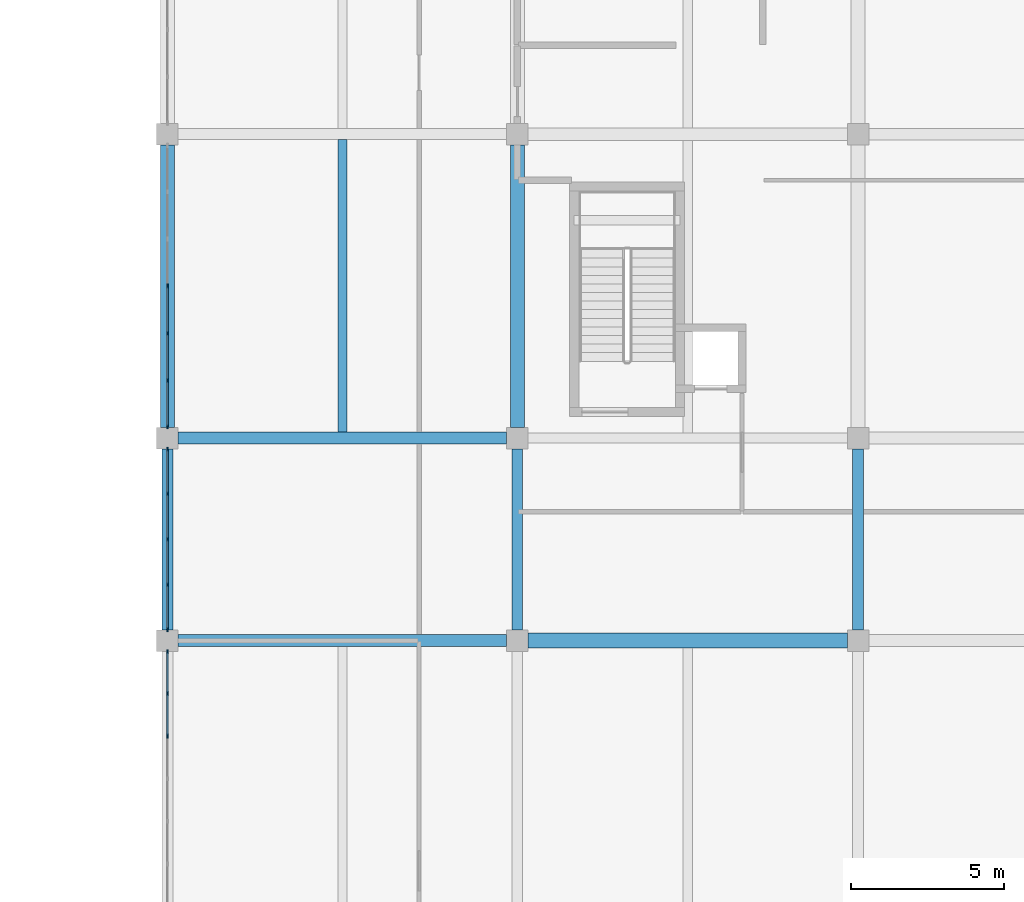
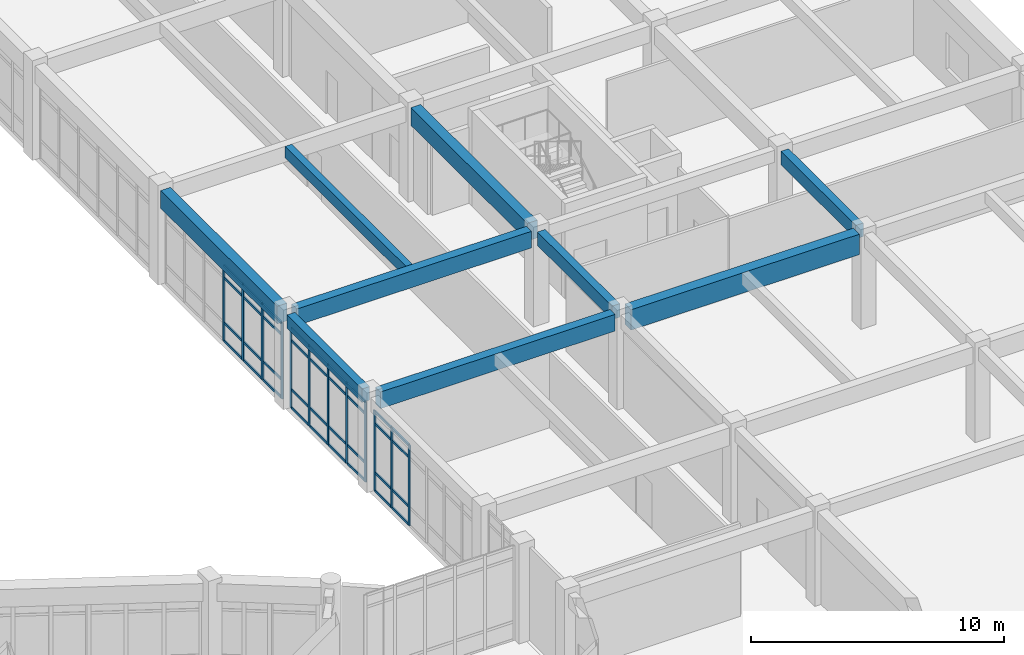
# One storey, part 27 of 65: 48 members, 9 beams, 3 elements without a shape of their own.
"""IFC4 building model written with IfcOpenShell, lengths in metres."""

from ifc_helpers import new_model, si_unit, direction, frame, origin, origin_2d, place, context, subcontext, project, spatial, rectangle, extrude, material, layer, layer_set, material_profile, profile_set, type_object, element, aggregate, save


model = new_model("IFC4")

# Units and contexts
model_context = context("Model", 3, precision=1e-05, world=origin(), true_north=direction((0.0, 1.0)))
body_context = subcontext(model_context, "Body", "Model", "MODEL_VIEW")
ifc_project = project(units=[si_unit("LENGTHUNIT", "METRE"), si_unit("AREAUNIT", "SQUARE_METRE"), si_unit("VOLUMEUNIT", "CUBIC_METRE"), si_unit("PLANEANGLEUNIT", "RADIAN"), si_unit("MASSUNIT", "GRAM", prefix="KILO")], contexts=[model_context])

# Site, building, storey
site_placement = place(None, origin())
site = spatial("IfcSite", under=ifc_project, at=site_placement, CompositionType="ELEMENT")
building_placement = place(site_placement, origin())
building = spatial("IfcBuilding", under=site, at=building_placement, Name="Miralva Faculty of Natural Sciences", CompositionType="ELEMENT")
storey_placement = place(building_placement, frame((0.0, 0.0, 10.199951171875)))
storey = spatial("IfcBuildingStorey", under=building, at=storey_placement, Name="L02", CompositionType="ELEMENT", Elevation=10.199951171875)

# Beams
ifc_material_1 = material(Name="Concrete C40/50", Category="concrete")
ifc_material_profile_1 = material_profile(ifc_material_1, rectangle(XDim=0.449951171875, YDim=0.85009765625, at=origin_2d()), Name="RC 450x850")
ifc_profile_set_1 = profile_set([ifc_material_profile_1], Name="Concrete C40/50")
beam_type_1 = type_object("IfcBeamType", Name="BM-B01", PredefinedType="BEAM", material=ifc_profile_set_1)
for number, where, z_axis, x_axis, name in (
    (1, (133.800048828125, 45.949951171875, 4.094970703125), (0.0, 1.0, 0.0), (-1.0, 0.0, 0.0), "Girder NS L02-124"),
    (2, (145.199951171875, 45.949951171875, 4.094970703125), (0.0, 1.0, 0.0), (-1.0, 0.0, 0.0), "Girder NS L02-131"),
):
    element("IfcBeam", number, at=place(storey_placement, frame(where, z_axis=z_axis, x_axis=x_axis)), inside=storey, type_object=beam_type_1, Name=name, PredefinedType="BEAM", context=body_context, shape_type="SweptSolid", body=[
        extrude(rectangle(XDim=0.449951171875, YDim=0.85009765625, at=origin_2d()), origin(), (0.0, 0.0, 1.0), 9.199951171875),
    ])
ifc_material_profile_2 = material_profile(ifc_material_1, rectangle(XDim=0.39990234375, YDim=0.800048828125, at=origin_2d()), Name="RC 400x800")
ifc_profile_set_2 = profile_set([ifc_material_profile_2], Name="Concrete C40/50")
beam_type_2 = type_object("IfcBeamType", Name="BM-B02", PredefinedType="BEAM", material=ifc_profile_set_2)
for number, where, z_axis, x_axis, name in (
    (3, (134.14990234375, 39.0, 4.1201171875), (1.0, 0.0, 0.0), (0.0, 1.0, 0.0), "Girder EW L02-36"),
    (4, (134.14990234375, 45.60009765625, 4.1201171875), (1.0, 0.0, 0.0), (0.0, 1.0, 0.0), "Girder EW L02-42"),
):
    element("IfcBeam", number, at=place(storey_placement, frame(where, z_axis=z_axis, x_axis=x_axis)), inside=storey, type_object=beam_type_2, Name=name, PredefinedType="BEAM", context=body_context, shape_type="SweptSolid", body=[
        extrude(rectangle(XDim=0.39990234375, YDim=0.800048828125, at=origin_2d()), origin(), (0.0, 0.0, 1.0), 10.7001953125),
    ])
ifc_material_profile_3 = material_profile(ifc_material_1, rectangle(XDim=0.35009765625, YDim=0.64990234375, at=origin_2d()), Name="RC 350x650")
ifc_profile_set_3 = profile_set([ifc_material_profile_3], Name="Concrete C40/50")
beam_type_3 = type_object("IfcBeamType", Name="BM-B05", PredefinedType="BEAM", material=ifc_profile_set_3)
for number, where, z_axis, x_axis, name in (
    (5, (133.800048828125, 39.35009765625, 4.195068359375), (0.0, 1.0, 0.0), (-1.0, 0.0, 0.0), "Girder NS L02-123"),
    (6, (145.199951171875, 39.35009765625, 4.195068359375), (0.0, 1.0, 0.0), (-1.0, 0.0, 0.0), "Girder NS L02-130"),
    (7, (156.300048828125, 39.35009765625, 4.195068359375), (0.0, 1.0, 0.0), (-1.0, 0.0, 0.0), "Girder NS L02-137"),
):
    element("IfcBeam", number, at=place(storey_placement, frame(where, z_axis=z_axis, x_axis=x_axis)), inside=storey, type_object=beam_type_3, Name=name, PredefinedType="BEAM", context=body_context, shape_type="SweptSolid", body=[
        extrude(rectangle(XDim=0.35009765625, YDim=0.64990234375, at=origin_2d()), origin(), (0.0, 0.0, 1.0), 5.89990234375),
    ])
ifc_material_profile_4 = material_profile(ifc_material_1, rectangle(XDim=0.47998046875, YDim=0.97998046875, at=origin_2d()), Name="RC 480x980")
ifc_profile_set_4 = profile_set([ifc_material_profile_4], Name="Concrete C40/50")
beam_type_4 = type_object("IfcBeamType", Name="BM-BG18", PredefinedType="BEAM", material=ifc_profile_set_4)
beam_1_placement = place(storey_placement, frame((145.550048828125, 39.0, 4.030029296875), z_axis=(1.0, 0.0, 0.0), x_axis=(0.0, 1.0, 0.0)))
element("IfcBeam", 8, at=beam_1_placement, inside=storey, type_object=beam_type_4, Name="Girder EW L02-37", PredefinedType="BEAM", context=body_context, shape_type="SweptSolid", body=[
    extrude(rectangle(XDim=0.47998046875, YDim=0.97998046875, at=origin_2d()), origin(), (0.0, 0.0, 1.0), 10.39990234375),
])
ifc_material_profile_5 = material_profile(ifc_material_1, rectangle(XDim=0.300048828125, YDim=0.550048828125, at=origin_2d()), Name="RC 300x550")
ifc_profile_set_5 = profile_set([ifc_material_profile_5], Name="Concrete C40/50")
beam_type_5 = type_object("IfcBeamType", Name="BM-J02", PredefinedType="JOIST", material=ifc_profile_set_5)
beam_2_placement = place(storey_placement, frame((139.5, 45.800048828125, 4.2451171875), z_axis=(0.0, 1.0, 0.0), x_axis=(-1.0, 0.0, 0.0)))
element("IfcBeam", 9, at=beam_2_placement, inside=storey, type_object=beam_type_5, Name="Floor joist L02-14", PredefinedType="JOIST", context=body_context, shape_type="SweptSolid", body=[
    extrude(rectangle(XDim=0.300048828125, YDim=0.550048828125, at=origin_2d()), origin(), (0.0, 0.0, 1.0), 9.52001953125),
])

# Curtain wall, members
ifc_material_2 = material(Name="Laminated solar-control glass", Category="glass")
ifc_layer = layer(ifc_material_2, 0.179931640625, Name="CW-COM-L01")
ifc_layer_set = layer_set([ifc_layer], Name="Laminated solar-control glass")
curtain_wall_type = type_object("IfcCurtainWallType", Name="CW-COM-L01", PredefinedType="USERDEFINED", material=ifc_layer_set)
curtain_wall_1_placement = place(storey_placement, origin())
curtain_wall_1 = element("IfcCurtainWall", 10, at=curtain_wall_1_placement, inside=storey, type_object=curtain_wall_type, Name="Curtain wall CW-10 L02-270", ObjectType="UNITISED CURTAIN WALL", PredefinedType="USERDEFINED")
ifc_material_3 = material(Name="Anodised aluminium", Category="aluminium")
ifc_material_profile_6 = material_profile(ifc_material_3, rectangle(XDim=0.06005859375, YDim=0.139892578125, at=origin_2d()), Name="MULLION 60x140")
ifc_profile_set_6 = profile_set([ifc_material_profile_6], Name="Anodised aluminium")
member_type_1 = type_object("IfcMemberType", Name="CW-M03", PredefinedType="MULLION", material=ifc_profile_set_6)
member_1_placement = place(storey_placement, frame((133.800048828125, 35.888427734375, 0.0), z_axis=(0.0, 0.0, 1.0), x_axis=(-1.0, 0.0, 0.0)))
member_1 = element("IfcMember", 11, at=member_1_placement, type_object=member_type_1, Name="CW-10 mullion 5", PredefinedType="MULLION", context=body_context, shape_type="SweptSolid", body=[
    extrude(rectangle(XDim=0.06005859375, YDim=0.139892578125, at=origin_2d()), origin(), (0.0, 0.0, 1.0), 3.864990234375),
])
member_2_placement = place(storey_placement, frame((133.800048828125, 37.276611328125, 0.0), z_axis=(0.0, 0.0, 1.0), x_axis=(-1.0, 0.0, 0.0)))
member_2 = element("IfcMember", 12, at=member_2_placement, type_object=member_type_1, Name="CW-10 mullion 6", PredefinedType="MULLION", context=body_context, shape_type="SweptSolid", body=[
    extrude(rectangle(XDim=0.06005859375, YDim=0.139892578125, at=origin_2d()), origin(), (0.0, 0.0, 1.0), 3.864990234375),
])
member_3_placement = place(storey_placement, frame((133.800048828125, 38.635009765625, 0.0), z_axis=(0.0, 0.0, 1.0), x_axis=(-1.0, 0.0, 0.0)))
member_3 = element("IfcMember", 13, at=member_3_placement, type_object=member_type_1, Name="CW-10 mullion 7", PredefinedType="MULLION", context=body_context, shape_type="SweptSolid", body=[
    extrude(rectangle(XDim=0.06005859375, YDim=0.139892578125, at=origin_2d()), origin(), (0.0, 0.0, 1.0), 3.864990234375),
])

curtain_wall_2_placement = place(storey_placement, origin())
curtain_wall_2 = element("IfcCurtainWall", 14, at=curtain_wall_2_placement, inside=storey, type_object=curtain_wall_type, Name="Curtain wall CW-10 L02-271", ObjectType="UNITISED CURTAIN WALL", PredefinedType="USERDEFINED")
member_4_placement = place(storey_placement, frame((133.800048828125, 39.364990234375, 0.0), z_axis=(0.0, 0.0, 1.0), x_axis=(-1.0, 0.0, 0.0)))
member_4 = element("IfcMember", 15, at=member_4_placement, type_object=member_type_1, Name="CW-10 mullion 1", PredefinedType="MULLION", context=body_context, shape_type="SweptSolid", body=[
    extrude(rectangle(XDim=0.06005859375, YDim=0.139892578125, at=origin_2d()), origin(), (0.0, 0.0, 1.0), 3.864990234375),
])
member_5_placement = place(storey_placement, frame((133.800048828125, 40.8173828125, 0.0), z_axis=(0.0, 0.0, 1.0), x_axis=(-1.0, 0.0, 0.0)))
member_5 = element("IfcMember", 16, at=member_5_placement, type_object=member_type_1, Name="CW-10 mullion 2", PredefinedType="MULLION", context=body_context, shape_type="SweptSolid", body=[
    extrude(rectangle(XDim=0.06005859375, YDim=0.139892578125, at=origin_2d()), origin(), (0.0, 0.0, 1.0), 3.864990234375),
])
member_6_placement = place(storey_placement, frame((133.800048828125, 42.300048828125, 0.0), z_axis=(0.0, 0.0, 1.0), x_axis=(-1.0, 0.0, 0.0)))
member_6 = element("IfcMember", 17, at=member_6_placement, type_object=member_type_1, Name="CW-10 mullion 3", PredefinedType="MULLION", context=body_context, shape_type="SweptSolid", body=[
    extrude(rectangle(XDim=0.06005859375, YDim=0.139892578125, at=origin_2d()), origin(), (0.0, 0.0, 1.0), 3.864990234375),
])
member_7_placement = place(storey_placement, frame((133.800048828125, 43.782470703125, 0.0), z_axis=(0.0, 0.0, 1.0), x_axis=(-1.0, 0.0, 0.0)))
member_7 = element("IfcMember", 18, at=member_7_placement, type_object=member_type_1, Name="CW-10 mullion 4", PredefinedType="MULLION", context=body_context, shape_type="SweptSolid", body=[
    extrude(rectangle(XDim=0.06005859375, YDim=0.139892578125, at=origin_2d()), origin(), (0.0, 0.0, 1.0), 3.864990234375),
])
member_8_placement = place(storey_placement, frame((133.800048828125, 45.235107421875, 0.0), z_axis=(0.0, 0.0, 1.0), x_axis=(-1.0, 0.0, 0.0)))
member_8 = element("IfcMember", 19, at=member_8_placement, type_object=member_type_1, Name="CW-10 mullion 5", PredefinedType="MULLION", context=body_context, shape_type="SweptSolid", body=[
    extrude(rectangle(XDim=0.06005859375, YDim=0.139892578125, at=origin_2d()), origin(), (0.0, 0.0, 1.0), 3.864990234375),
])

curtain_wall_3_placement = place(storey_placement, origin())
curtain_wall_3 = element("IfcCurtainWall", 20, at=curtain_wall_3_placement, inside=storey, type_object=curtain_wall_type, Name="Curtain wall CW-10 L02-272", ObjectType="UNITISED CURTAIN WALL", PredefinedType="USERDEFINED")
member_9_placement = place(storey_placement, frame((133.800048828125, 45.965087890625, 0.0), z_axis=(0.0, 0.0, 1.0), x_axis=(-1.0, 0.0, 0.0)))
member_9 = element("IfcMember", 21, at=member_9_placement, type_object=member_type_1, Name="CW-10 mullion 1", PredefinedType="MULLION", context=body_context, shape_type="SweptSolid", body=[
    extrude(rectangle(XDim=0.06005859375, YDim=0.139892578125, at=origin_2d()), origin(), (0.0, 0.0, 1.0), 3.6650390625),
])
member_10_placement = place(storey_placement, frame((133.800048828125, 47.473388671875, 0.0), z_axis=(0.0, 0.0, 1.0), x_axis=(-1.0, 0.0, 0.0)))
member_10 = element("IfcMember", 22, at=member_10_placement, type_object=member_type_1, Name="CW-10 mullion 2", PredefinedType="MULLION", context=body_context, shape_type="SweptSolid", body=[
    extrude(rectangle(XDim=0.06005859375, YDim=0.139892578125, at=origin_2d()), origin(), (0.0, 0.0, 1.0), 3.6650390625),
])
member_11_placement = place(storey_placement, frame((133.800048828125, 49.01171875, 0.0), z_axis=(0.0, 0.0, 1.0), x_axis=(-1.0, 0.0, 0.0)))
member_11 = element("IfcMember", 23, at=member_11_placement, type_object=member_type_1, Name="CW-10 mullion 3", PredefinedType="MULLION", context=body_context, shape_type="SweptSolid", body=[
    extrude(rectangle(XDim=0.06005859375, YDim=0.139892578125, at=origin_2d()), origin(), (0.0, 0.0, 1.0), 3.6650390625),
])
member_12_placement = place(storey_placement, frame((133.800048828125, 50.550048828125, 0.0), z_axis=(0.0, 0.0, 1.0), x_axis=(-1.0, 0.0, 0.0)))
member_12 = element("IfcMember", 24, at=member_12_placement, type_object=member_type_1, Name="CW-10 mullion 4", PredefinedType="MULLION", context=body_context, shape_type="SweptSolid", body=[
    extrude(rectangle(XDim=0.06005859375, YDim=0.139892578125, at=origin_2d()), origin(), (0.0, 0.0, 1.0), 3.6650390625),
])

# Member
ifc_material_profile_7 = material_profile(ifc_material_3, rectangle(XDim=0.06005859375, YDim=0.1201171875, at=origin_2d()), Name="TRANSOM 60x120")
ifc_profile_set_7 = profile_set([ifc_material_profile_7], Name="Anodised aluminium")
member_type_2 = type_object("IfcMemberType", Name="CW-T02", PredefinedType="USERDEFINED", material=ifc_profile_set_7)
member_13_placement = place(storey_placement, frame((133.800048828125, 35.918212890625, 0.030029296875), z_axis=(0.0, 1.0, 0.0), x_axis=(-1.0, 0.0, 0.0)))
member_13 = element("IfcMember", 25, at=member_13_placement, type_object=member_type_2, Name="CW-10 transom 5.1", ObjectType="TRANSOM", PredefinedType="USERDEFINED", context=body_context, shape_type="SweptSolid", body=[
    extrude(rectangle(XDim=0.06005859375, YDim=0.1201171875, at=origin_2d()), origin(), (0.0, 0.0, 1.0), 1.328369140625),
])

member_14_placement = place(storey_placement, frame((133.800048828125, 35.918212890625, 0.900146484375), z_axis=(0.0, 1.0, 0.0), x_axis=(-1.0, 0.0, 0.0)))
member_14 = element("IfcMember", 26, at=member_14_placement, type_object=member_type_2, Name="CW-10 transom 5.2", ObjectType="TRANSOM", PredefinedType="USERDEFINED", context=body_context, shape_type="SweptSolid", body=[
    extrude(rectangle(XDim=0.06005859375, YDim=0.1201171875, at=origin_2d()), origin(), (0.0, 0.0, 1.0), 1.328369140625),
])

member_15_placement = place(storey_placement, frame((133.800048828125, 35.918212890625, 3.26513671875), z_axis=(0.0, 1.0, 0.0), x_axis=(-1.0, 0.0, 0.0)))
member_15 = element("IfcMember", 27, at=member_15_placement, type_object=member_type_2, Name="CW-10 transom 5.3", ObjectType="TRANSOM", PredefinedType="USERDEFINED", context=body_context, shape_type="SweptSolid", body=[
    extrude(rectangle(XDim=0.06005859375, YDim=0.1201171875, at=origin_2d()), origin(), (0.0, 0.0, 1.0), 1.328369140625),
])

member_16_placement = place(storey_placement, frame((133.800048828125, 35.918212890625, 3.8349609375), z_axis=(0.0, 1.0, 0.0), x_axis=(-1.0, 0.0, 0.0)))
member_16 = element("IfcMember", 28, at=member_16_placement, type_object=member_type_2, Name="CW-10 transom 5.4", ObjectType="TRANSOM", PredefinedType="USERDEFINED", context=body_context, shape_type="SweptSolid", body=[
    extrude(rectangle(XDim=0.06005859375, YDim=0.1201171875, at=origin_2d()), origin(), (0.0, 0.0, 1.0), 1.328369140625),
])

member_17_placement = place(storey_placement, frame((133.800048828125, 37.306640625, 0.030029296875), z_axis=(0.0, 1.0, 0.0), x_axis=(-1.0, 0.0, 0.0)))
member_17 = element("IfcMember", 29, at=member_17_placement, type_object=member_type_2, Name="CW-10 transom 6.1", ObjectType="TRANSOM", PredefinedType="USERDEFINED", context=body_context, shape_type="SweptSolid", body=[
    extrude(rectangle(XDim=0.06005859375, YDim=0.1201171875, at=origin_2d()), origin(), (0.0, 0.0, 1.0), 1.29833984375),
])

member_18_placement = place(storey_placement, frame((133.800048828125, 37.306640625, 0.900146484375), z_axis=(0.0, 1.0, 0.0), x_axis=(-1.0, 0.0, 0.0)))
member_18 = element("IfcMember", 30, at=member_18_placement, type_object=member_type_2, Name="CW-10 transom 6.2", ObjectType="TRANSOM", PredefinedType="USERDEFINED", context=body_context, shape_type="SweptSolid", body=[
    extrude(rectangle(XDim=0.06005859375, YDim=0.1201171875, at=origin_2d()), origin(), (0.0, 0.0, 1.0), 1.29833984375),
])

member_19_placement = place(storey_placement, frame((133.800048828125, 37.306640625, 3.26513671875), z_axis=(0.0, 1.0, 0.0), x_axis=(-1.0, 0.0, 0.0)))
member_19 = element("IfcMember", 31, at=member_19_placement, type_object=member_type_2, Name="CW-10 transom 6.3", ObjectType="TRANSOM", PredefinedType="USERDEFINED", context=body_context, shape_type="SweptSolid", body=[
    extrude(rectangle(XDim=0.06005859375, YDim=0.1201171875, at=origin_2d()), origin(), (0.0, 0.0, 1.0), 1.29833984375),
])

member_20_placement = place(storey_placement, frame((133.800048828125, 37.306640625, 3.8349609375), z_axis=(0.0, 1.0, 0.0), x_axis=(-1.0, 0.0, 0.0)))
member_20 = element("IfcMember", 32, at=member_20_placement, type_object=member_type_2, Name="CW-10 transom 6.4", ObjectType="TRANSOM", PredefinedType="USERDEFINED", context=body_context, shape_type="SweptSolid", body=[
    extrude(rectangle(XDim=0.06005859375, YDim=0.1201171875, at=origin_2d()), origin(), (0.0, 0.0, 1.0), 1.29833984375),
])

aggregate(curtain_wall_1, [member_1, member_2, member_3, member_13, member_14, member_15, member_16, member_17, member_18, member_19, member_20])

member_21_placement = place(storey_placement, frame((133.800048828125, 39.39501953125, 0.030029296875), z_axis=(0.0, 1.0, 0.0), x_axis=(-1.0, 0.0, 0.0)))
member_21 = element("IfcMember", 33, at=member_21_placement, type_object=member_type_2, Name="CW-10 transom 1.1", ObjectType="TRANSOM", PredefinedType="USERDEFINED", context=body_context, shape_type="SweptSolid", body=[
    extrude(rectangle(XDim=0.06005859375, YDim=0.1201171875, at=origin_2d()), origin(), (0.0, 0.0, 1.0), 1.392578125),
])

member_22_placement = place(storey_placement, frame((133.800048828125, 39.39501953125, 0.900146484375), z_axis=(0.0, 1.0, 0.0), x_axis=(-1.0, 0.0, 0.0)))
member_22 = element("IfcMember", 34, at=member_22_placement, type_object=member_type_2, Name="CW-10 transom 1.2", ObjectType="TRANSOM", PredefinedType="USERDEFINED", context=body_context, shape_type="SweptSolid", body=[
    extrude(rectangle(XDim=0.06005859375, YDim=0.1201171875, at=origin_2d()), origin(), (0.0, 0.0, 1.0), 1.392578125),
])

member_23_placement = place(storey_placement, frame((133.800048828125, 39.39501953125, 3.26513671875), z_axis=(0.0, 1.0, 0.0), x_axis=(-1.0, 0.0, 0.0)))
member_23 = element("IfcMember", 35, at=member_23_placement, type_object=member_type_2, Name="CW-10 transom 1.3", ObjectType="TRANSOM", PredefinedType="USERDEFINED", context=body_context, shape_type="SweptSolid", body=[
    extrude(rectangle(XDim=0.06005859375, YDim=0.1201171875, at=origin_2d()), origin(), (0.0, 0.0, 1.0), 1.392578125),
])

member_24_placement = place(storey_placement, frame((133.800048828125, 39.39501953125, 3.8349609375), z_axis=(0.0, 1.0, 0.0), x_axis=(-1.0, 0.0, 0.0)))
member_24 = element("IfcMember", 36, at=member_24_placement, type_object=member_type_2, Name="CW-10 transom 1.4", ObjectType="TRANSOM", PredefinedType="USERDEFINED", context=body_context, shape_type="SweptSolid", body=[
    extrude(rectangle(XDim=0.06005859375, YDim=0.1201171875, at=origin_2d()), origin(), (0.0, 0.0, 1.0), 1.392578125),
])

member_25_placement = place(storey_placement, frame((133.800048828125, 40.847412109375, 0.030029296875), z_axis=(0.0, 1.0, 0.0), x_axis=(-1.0, 0.0, 0.0)))
member_25 = element("IfcMember", 37, at=member_25_placement, type_object=member_type_2, Name="CW-10 transom 2.1", ObjectType="TRANSOM", PredefinedType="USERDEFINED", context=body_context, shape_type="SweptSolid", body=[
    extrude(rectangle(XDim=0.06005859375, YDim=0.1201171875, at=origin_2d()), origin(), (0.0, 0.0, 1.0), 1.422607421875),
])

member_26_placement = place(storey_placement, frame((133.800048828125, 40.847412109375, 0.900146484375), z_axis=(0.0, 1.0, 0.0), x_axis=(-1.0, 0.0, 0.0)))
member_26 = element("IfcMember", 38, at=member_26_placement, type_object=member_type_2, Name="CW-10 transom 2.2", ObjectType="TRANSOM", PredefinedType="USERDEFINED", context=body_context, shape_type="SweptSolid", body=[
    extrude(rectangle(XDim=0.06005859375, YDim=0.1201171875, at=origin_2d()), origin(), (0.0, 0.0, 1.0), 1.422607421875),
])

member_27_placement = place(storey_placement, frame((133.800048828125, 40.847412109375, 3.26513671875), z_axis=(0.0, 1.0, 0.0), x_axis=(-1.0, 0.0, 0.0)))
member_27 = element("IfcMember", 39, at=member_27_placement, type_object=member_type_2, Name="CW-10 transom 2.3", ObjectType="TRANSOM", PredefinedType="USERDEFINED", context=body_context, shape_type="SweptSolid", body=[
    extrude(rectangle(XDim=0.06005859375, YDim=0.1201171875, at=origin_2d()), origin(), (0.0, 0.0, 1.0), 1.422607421875),
])

member_28_placement = place(storey_placement, frame((133.800048828125, 40.847412109375, 3.8349609375), z_axis=(0.0, 1.0, 0.0), x_axis=(-1.0, 0.0, 0.0)))
member_28 = element("IfcMember", 40, at=member_28_placement, type_object=member_type_2, Name="CW-10 transom 2.4", ObjectType="TRANSOM", PredefinedType="USERDEFINED", context=body_context, shape_type="SweptSolid", body=[
    extrude(rectangle(XDim=0.06005859375, YDim=0.1201171875, at=origin_2d()), origin(), (0.0, 0.0, 1.0), 1.422607421875),
])

member_29_placement = place(storey_placement, frame((133.800048828125, 42.330078125, 0.030029296875), z_axis=(0.0, 1.0, 0.0), x_axis=(-1.0, 0.0, 0.0)))
member_29 = element("IfcMember", 41, at=member_29_placement, type_object=member_type_2, Name="CW-10 transom 3.1", ObjectType="TRANSOM", PredefinedType="USERDEFINED", context=body_context, shape_type="SweptSolid", body=[
    extrude(rectangle(XDim=0.06005859375, YDim=0.1201171875, at=origin_2d()), origin(), (0.0, 0.0, 1.0), 1.42236328125),
])

member_30_placement = place(storey_placement, frame((133.800048828125, 42.330078125, 0.900146484375), z_axis=(0.0, 1.0, 0.0), x_axis=(-1.0, 0.0, 0.0)))
member_30 = element("IfcMember", 42, at=member_30_placement, type_object=member_type_2, Name="CW-10 transom 3.2", ObjectType="TRANSOM", PredefinedType="USERDEFINED", context=body_context, shape_type="SweptSolid", body=[
    extrude(rectangle(XDim=0.06005859375, YDim=0.1201171875, at=origin_2d()), origin(), (0.0, 0.0, 1.0), 1.42236328125),
])

member_31_placement = place(storey_placement, frame((133.800048828125, 42.330078125, 3.26513671875), z_axis=(0.0, 1.0, 0.0), x_axis=(-1.0, 0.0, 0.0)))
member_31 = element("IfcMember", 43, at=member_31_placement, type_object=member_type_2, Name="CW-10 transom 3.3", ObjectType="TRANSOM", PredefinedType="USERDEFINED", context=body_context, shape_type="SweptSolid", body=[
    extrude(rectangle(XDim=0.06005859375, YDim=0.1201171875, at=origin_2d()), origin(), (0.0, 0.0, 1.0), 1.42236328125),
])

member_32_placement = place(storey_placement, frame((133.800048828125, 42.330078125, 3.8349609375), z_axis=(0.0, 1.0, 0.0), x_axis=(-1.0, 0.0, 0.0)))
member_32 = element("IfcMember", 44, at=member_32_placement, type_object=member_type_2, Name="CW-10 transom 3.4", ObjectType="TRANSOM", PredefinedType="USERDEFINED", context=body_context, shape_type="SweptSolid", body=[
    extrude(rectangle(XDim=0.06005859375, YDim=0.1201171875, at=origin_2d()), origin(), (0.0, 0.0, 1.0), 1.42236328125),
])

member_33_placement = place(storey_placement, frame((133.800048828125, 43.8125, 0.030029296875), z_axis=(0.0, 1.0, 0.0), x_axis=(-1.0, 0.0, 0.0)))
member_33 = element("IfcMember", 45, at=member_33_placement, type_object=member_type_2, Name="CW-10 transom 4.1", ObjectType="TRANSOM", PredefinedType="USERDEFINED", context=body_context, shape_type="SweptSolid", body=[
    extrude(rectangle(XDim=0.06005859375, YDim=0.1201171875, at=origin_2d()), origin(), (0.0, 0.0, 1.0), 1.392578125),
])

member_34_placement = place(storey_placement, frame((133.800048828125, 43.8125, 0.900146484375), z_axis=(0.0, 1.0, 0.0), x_axis=(-1.0, 0.0, 0.0)))
member_34 = element("IfcMember", 46, at=member_34_placement, type_object=member_type_2, Name="CW-10 transom 4.2", ObjectType="TRANSOM", PredefinedType="USERDEFINED", context=body_context, shape_type="SweptSolid", body=[
    extrude(rectangle(XDim=0.06005859375, YDim=0.1201171875, at=origin_2d()), origin(), (0.0, 0.0, 1.0), 1.392578125),
])

member_35_placement = place(storey_placement, frame((133.800048828125, 43.8125, 3.26513671875), z_axis=(0.0, 1.0, 0.0), x_axis=(-1.0, 0.0, 0.0)))
member_35 = element("IfcMember", 47, at=member_35_placement, type_object=member_type_2, Name="CW-10 transom 4.3", ObjectType="TRANSOM", PredefinedType="USERDEFINED", context=body_context, shape_type="SweptSolid", body=[
    extrude(rectangle(XDim=0.06005859375, YDim=0.1201171875, at=origin_2d()), origin(), (0.0, 0.0, 1.0), 1.392578125),
])

member_36_placement = place(storey_placement, frame((133.800048828125, 43.8125, 3.8349609375), z_axis=(0.0, 1.0, 0.0), x_axis=(-1.0, 0.0, 0.0)))
member_36 = element("IfcMember", 48, at=member_36_placement, type_object=member_type_2, Name="CW-10 transom 4.4", ObjectType="TRANSOM", PredefinedType="USERDEFINED", context=body_context, shape_type="SweptSolid", body=[
    extrude(rectangle(XDim=0.06005859375, YDim=0.1201171875, at=origin_2d()), origin(), (0.0, 0.0, 1.0), 1.392578125),
])

aggregate(curtain_wall_2, [member_4, member_5, member_6, member_7, member_8, member_21, member_22, member_23, member_24, member_25, member_26, member_27, member_28, member_29, member_30, member_31, member_32, member_33, member_34, member_35, member_36])

member_37_placement = place(storey_placement, frame((133.800048828125, 45.9951171875, 0.030029296875), z_axis=(0.0, 1.0, 0.0), x_axis=(-1.0, 0.0, 0.0)))
member_37 = element("IfcMember", 49, at=member_37_placement, type_object=member_type_2, Name="CW-10 transom 1.1", ObjectType="TRANSOM", PredefinedType="USERDEFINED", context=body_context, shape_type="SweptSolid", body=[
    extrude(rectangle(XDim=0.06005859375, YDim=0.1201171875, at=origin_2d()), origin(), (0.0, 0.0, 1.0), 1.4482421875),
])

member_38_placement = place(storey_placement, frame((133.800048828125, 45.9951171875, 0.900146484375), z_axis=(0.0, 1.0, 0.0), x_axis=(-1.0, 0.0, 0.0)))
member_38 = element("IfcMember", 50, at=member_38_placement, type_object=member_type_2, Name="CW-10 transom 1.2", ObjectType="TRANSOM", PredefinedType="USERDEFINED", context=body_context, shape_type="SweptSolid", body=[
    extrude(rectangle(XDim=0.06005859375, YDim=0.1201171875, at=origin_2d()), origin(), (0.0, 0.0, 1.0), 1.4482421875),
])

member_39_placement = place(storey_placement, frame((133.800048828125, 45.9951171875, 3.06494140625), z_axis=(0.0, 1.0, 0.0), x_axis=(-1.0, 0.0, 0.0)))
member_39 = element("IfcMember", 51, at=member_39_placement, type_object=member_type_2, Name="CW-10 transom 1.3", ObjectType="TRANSOM", PredefinedType="USERDEFINED", context=body_context, shape_type="SweptSolid", body=[
    extrude(rectangle(XDim=0.06005859375, YDim=0.1201171875, at=origin_2d()), origin(), (0.0, 0.0, 1.0), 1.4482421875),
])

member_40_placement = place(storey_placement, frame((133.800048828125, 45.9951171875, 3.635009765625), z_axis=(0.0, 1.0, 0.0), x_axis=(-1.0, 0.0, 0.0)))
member_40 = element("IfcMember", 52, at=member_40_placement, type_object=member_type_2, Name="CW-10 transom 1.4", ObjectType="TRANSOM", PredefinedType="USERDEFINED", context=body_context, shape_type="SweptSolid", body=[
    extrude(rectangle(XDim=0.06005859375, YDim=0.1201171875, at=origin_2d()), origin(), (0.0, 0.0, 1.0), 1.4482421875),
])

member_41_placement = place(storey_placement, frame((133.800048828125, 47.50341796875, 0.030029296875), z_axis=(0.0, 1.0, 0.0), x_axis=(-1.0, 0.0, 0.0)))
member_41 = element("IfcMember", 53, at=member_41_placement, type_object=member_type_2, Name="CW-10 transom 2.1", ObjectType="TRANSOM", PredefinedType="USERDEFINED", context=body_context, shape_type="SweptSolid", body=[
    extrude(rectangle(XDim=0.06005859375, YDim=0.1201171875, at=origin_2d()), origin(), (0.0, 0.0, 1.0), 1.478271484375),
])

member_42_placement = place(storey_placement, frame((133.800048828125, 47.50341796875, 0.900146484375), z_axis=(0.0, 1.0, 0.0), x_axis=(-1.0, 0.0, 0.0)))
member_42 = element("IfcMember", 54, at=member_42_placement, type_object=member_type_2, Name="CW-10 transom 2.2", ObjectType="TRANSOM", PredefinedType="USERDEFINED", context=body_context, shape_type="SweptSolid", body=[
    extrude(rectangle(XDim=0.06005859375, YDim=0.1201171875, at=origin_2d()), origin(), (0.0, 0.0, 1.0), 1.478271484375),
])

member_43_placement = place(storey_placement, frame((133.800048828125, 47.50341796875, 3.06494140625), z_axis=(0.0, 1.0, 0.0), x_axis=(-1.0, 0.0, 0.0)))
member_43 = element("IfcMember", 55, at=member_43_placement, type_object=member_type_2, Name="CW-10 transom 2.3", ObjectType="TRANSOM", PredefinedType="USERDEFINED", context=body_context, shape_type="SweptSolid", body=[
    extrude(rectangle(XDim=0.06005859375, YDim=0.1201171875, at=origin_2d()), origin(), (0.0, 0.0, 1.0), 1.478271484375),
])

member_44_placement = place(storey_placement, frame((133.800048828125, 47.50341796875, 3.635009765625), z_axis=(0.0, 1.0, 0.0), x_axis=(-1.0, 0.0, 0.0)))
member_44 = element("IfcMember", 56, at=member_44_placement, type_object=member_type_2, Name="CW-10 transom 2.4", ObjectType="TRANSOM", PredefinedType="USERDEFINED", context=body_context, shape_type="SweptSolid", body=[
    extrude(rectangle(XDim=0.06005859375, YDim=0.1201171875, at=origin_2d()), origin(), (0.0, 0.0, 1.0), 1.478271484375),
])

member_45_placement = place(storey_placement, frame((133.800048828125, 49.041748046875, 0.030029296875), z_axis=(0.0, 1.0, 0.0), x_axis=(-1.0, 0.0, 0.0)))
member_45 = element("IfcMember", 57, at=member_45_placement, type_object=member_type_2, Name="CW-10 transom 3.1", ObjectType="TRANSOM", PredefinedType="USERDEFINED", context=body_context, shape_type="SweptSolid", body=[
    extrude(rectangle(XDim=0.06005859375, YDim=0.1201171875, at=origin_2d()), origin(), (0.0, 0.0, 1.0), 1.478271484375),
])

member_46_placement = place(storey_placement, frame((133.800048828125, 49.041748046875, 0.900146484375), z_axis=(0.0, 1.0, 0.0), x_axis=(-1.0, 0.0, 0.0)))
member_46 = element("IfcMember", 58, at=member_46_placement, type_object=member_type_2, Name="CW-10 transom 3.2", ObjectType="TRANSOM", PredefinedType="USERDEFINED", context=body_context, shape_type="SweptSolid", body=[
    extrude(rectangle(XDim=0.06005859375, YDim=0.1201171875, at=origin_2d()), origin(), (0.0, 0.0, 1.0), 1.478271484375),
])

member_47_placement = place(storey_placement, frame((133.800048828125, 49.041748046875, 3.06494140625), z_axis=(0.0, 1.0, 0.0), x_axis=(-1.0, 0.0, 0.0)))
member_47 = element("IfcMember", 59, at=member_47_placement, type_object=member_type_2, Name="CW-10 transom 3.3", ObjectType="TRANSOM", PredefinedType="USERDEFINED", context=body_context, shape_type="SweptSolid", body=[
    extrude(rectangle(XDim=0.06005859375, YDim=0.1201171875, at=origin_2d()), origin(), (0.0, 0.0, 1.0), 1.478271484375),
])

member_48_placement = place(storey_placement, frame((133.800048828125, 49.041748046875, 3.635009765625), z_axis=(0.0, 1.0, 0.0), x_axis=(-1.0, 0.0, 0.0)))
member_48 = element("IfcMember", 60, at=member_48_placement, type_object=member_type_2, Name="CW-10 transom 3.4", ObjectType="TRANSOM", PredefinedType="USERDEFINED", context=body_context, shape_type="SweptSolid", body=[
    extrude(rectangle(XDim=0.06005859375, YDim=0.1201171875, at=origin_2d()), origin(), (0.0, 0.0, 1.0), 1.478271484375),
])

aggregate(curtain_wall_3, [member_9, member_10, member_11, member_12, member_37, member_38, member_39, member_40, member_41, member_42, member_43, member_44, member_45, member_46, member_47, member_48])

save(model, "model.ifc")
